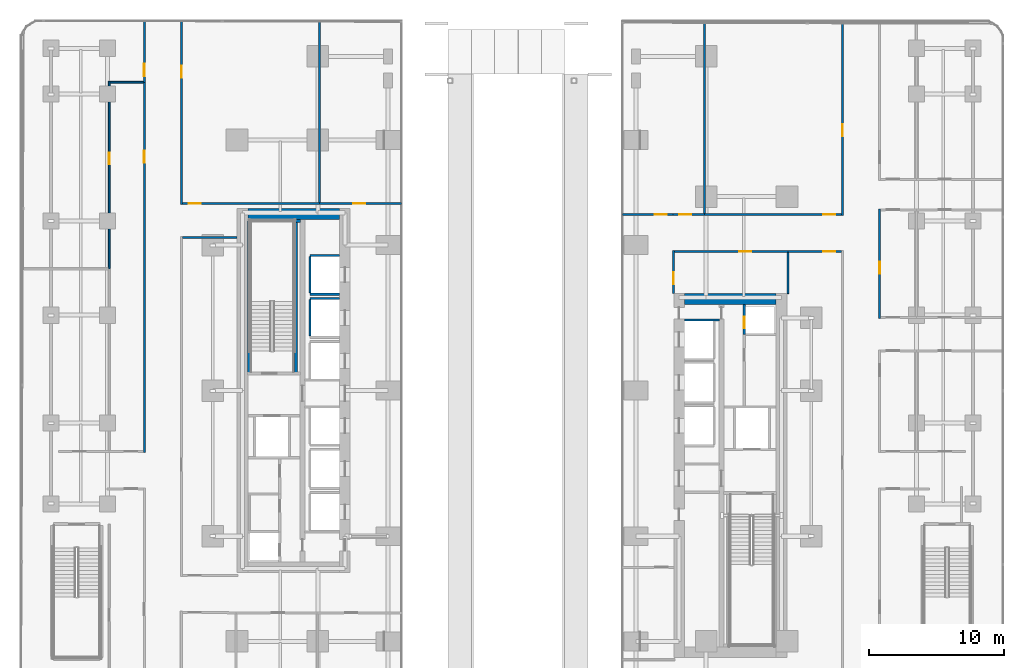
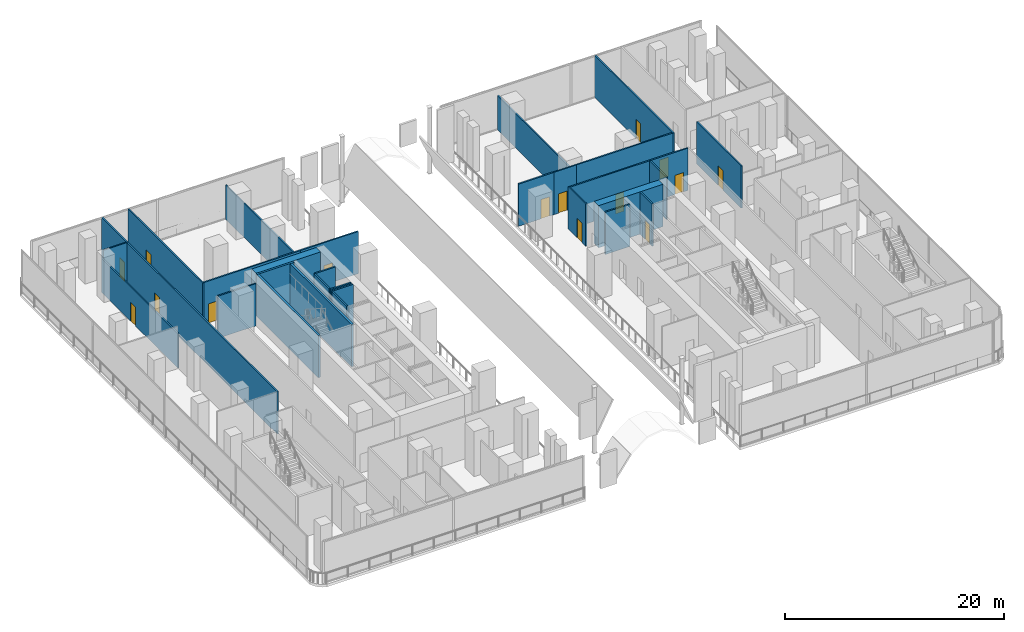
# One storey, part 11 of 31: 31 walls, 15 doors, 15 openings.
"""IFC4 building model written with IfcOpenShell, lengths in metres."""

from ifc_helpers import new_model, si_unit, direction, frame, frame_2d, origin, place, context, subcontext, project, spatial, rectangle, extrude, material, layer, layer_set, type_object, element, fill, save


model = new_model("IFC4")

# Units and contexts
model_context = context("Model", 3, precision=1e-05, world=origin(), true_north=direction((0.0, 1.0)))
body_context = subcontext(model_context, "Body", "Model", "MODEL_VIEW")
ifc_project = project(units=[si_unit("LENGTHUNIT", "METRE"), si_unit("AREAUNIT", "SQUARE_METRE"), si_unit("VOLUMEUNIT", "CUBIC_METRE"), si_unit("PLANEANGLEUNIT", "RADIAN"), si_unit("MASSUNIT", "GRAM", prefix="KILO")], contexts=[model_context])

# Site, building, storey
site_placement = place(None, origin())
site = spatial("IfcSite", under=ifc_project, at=site_placement, CompositionType="ELEMENT")
building_placement = place(site_placement, origin())
building = spatial("IfcBuilding", under=site, at=building_placement, Name="Khairoan Windgate Tower", CompositionType="ELEMENT")
storey_placement = place(building_placement, frame((0.0, 0.0, 11.0)))
storey = spatial("IfcBuildingStorey", under=building, at=storey_placement, Name="L03", CompositionType="ELEMENT", Elevation=11.0)

# Walls
ifc_material_1 = material(Name="Concrete C40/50", Category="concrete")
ifc_layer_1 = layer(ifc_material_1, 0.159912109375, Name="Concrete C40/50")
ifc_layer_set_1 = layer_set([ifc_layer_1], Name="Concrete C40/50")
wall_type_1 = type_object("IfcWallType", Name="Core and Hoistway Enclosure Wall", PredefinedType="STANDARD", material=ifc_layer_set_1)
for number, where, z_axis, x_axis, name in (
    (1, (-14.989990234375, 7.159912109375, 0.0), (0.0, 0.0, 1.0), (1.0, 0.0, 0.0), "L03 Lift PL1 Hoistway Divider S"),
    (2, (-14.989990234375, 10.0400390625, 0.0), (0.0, 0.0, 1.0), (1.0, 0.0, 0.0), "L03 Lift PL1 Hoistway Divider N"),
):
    element("IfcWall", number, at=place(storey_placement, frame(where, z_axis=z_axis, x_axis=x_axis)), inside=storey, type_object=wall_type_1, Name=name, PredefinedType="STANDARD", context=body_context, shape_type="SweptSolid", body=[
        extrude(rectangle(XDim=2.18994140625, YDim=0.159912109375, at=frame_2d((1.094970703125, 0.0))), origin(), (0.0, 0.0, 1.0), 4.699951171875),
    ])
wall_1_placement = place(storey_placement, frame((-14.989990234375, 7.25, 0.0), z_axis=(0.0, 0.0, 1.0), x_axis=(0.0, 1.0, 0.0)))
element("IfcWall", 3, at=wall_1_placement, inside=storey, type_object=wall_type_1, Name="L03 Lift PL1 Hoistway Back Wall", PredefinedType="STANDARD", context=body_context, shape_type="SweptSolid", body=[
    extrude(rectangle(XDim=2.699951171875, YDim=0.159912109375, at=frame_2d((1.35009765625, 0.0))), origin(), (0.0, 0.0, 1.0), 4.699951171875),
])
wall_2_placement = place(storey_placement, frame((-14.989990234375, 6.840087890625, 0.0), z_axis=(0.0, 0.0, 1.0), x_axis=(1.0, 0.0, 0.0)))
element("IfcWall", 4, at=wall_2_placement, inside=storey, type_object=wall_type_1, Name="L03 Lift PL2 Hoistway Divider N", PredefinedType="STANDARD", context=body_context, shape_type="SweptSolid", body=[
    extrude(rectangle(XDim=2.18994140625, YDim=0.159912109375, at=frame_2d((1.094970703125, 0.0))), origin(), (0.0, 0.0, 1.0), 4.699951171875),
])
wall_3_placement = place(storey_placement, frame((-14.989990234375, 4.050048828125, 0.0), z_axis=(0.0, 0.0, 1.0), x_axis=(0.0, 1.0, 0.0)))
element("IfcWall", 5, at=wall_3_placement, inside=storey, type_object=wall_type_1, Name="L03 Lift PL2 Hoistway Back Wall", PredefinedType="STANDARD", context=body_context, shape_type="SweptSolid", body=[
    extrude(rectangle(XDim=2.699951171875, YDim=0.159912109375, at=frame_2d((1.35009765625, 0.0))), origin(), (0.0, 0.0, 1.0), 4.699951171875),
])
wall_4_placement = place(storey_placement, frame((12.800048828125, 5.25, 0.0), z_axis=(0.0, 0.0, 1.0), x_axis=(1.0, 0.0, 0.0)))
element("IfcWall", 6, at=wall_4_placement, inside=storey, type_object=wall_type_1, Name="L03 Core Shaft Wall SW-ESV-L03", PredefinedType="STANDARD", context=body_context, shape_type="SweptSolid", body=[
    extrude(rectangle(XDim=2.599853515625, YDim=0.159912109375, at=frame_2d((1.2998046875, 0.0))), origin(), (0.0, 0.0, 1.0), 4.699951171875),
])

# Wall, opening, door
ifc_material_2 = material(Name="Acoustic Fire-Rated Gypsum Partition", Category="gypsum")
ifc_layer_2 = layer(ifc_material_2, 0.139892578125, Name="Acoustic Fire-Rated Gypsum Partition")
ifc_layer_set_2 = layer_set([ifc_layer_2], Name="Acoustic Fire-Rated Gypsum Partition")
wall_type_2 = type_object("IfcWallType", Name="Inter-Tenancy Compartment Wall", PredefinedType="PARTITIONING", material=ifc_layer_set_2)
wall_5_placement = place(storey_placement, frame((-29.8798828125, 9.0400390625, 0.0), z_axis=(0.0, 0.0, 1.0), x_axis=(0.0, 1.0, 0.0)))
wall_5 = element("IfcWall", 7, at=wall_5_placement, inside=storey, type_object=wall_type_2, Name="L03 Interior Partition 029", PredefinedType="PARTITIONING", context=body_context, shape_type="SweptSolid", body=[
    extrude(rectangle(XDim=13.909912109375, YDim=0.139892578125, at=frame_2d((6.955078125, 0.0))), origin(), (0.0, 0.0, 1.0), 3.800048828125),
])
opening_1_placement = place(wall_5_placement, frame((7.743896484375, 0.0, 0.0)))
opening_1 = element("IfcOpeningElement", 8, at=opening_1_placement, cuts=wall_5, Name="Opening FD-SRV", PredefinedType="OPENING", context=body_context, shape_type="SweptSolid", body=[
    extrude(rectangle(XDim=0.85009765625, YDim=2.10009765625, at=frame_2d((0.425048828125, 1.050048828125))), frame((0.0, 0.079833984375, 0.0), z_axis=(0.0, -1.0, 0.0), x_axis=(1.0, 0.0, 0.0)), (0.0, 0.0, 1.0), 0.159912109375),
])
ifc_material_3 = material(Name="Steel S355", Category="steel")
door_type_1 = type_object("IfcDoorType", Name="Core Service and Riser Fire Door FD-SRV 850x2100", OperationType="NOTDEFINED", PredefinedType="DOOR", material=ifc_material_3)
door_1_placement = place(opening_1_placement, origin())
door_1 = element("IfcDoor", 9, at=door_1_placement, inside=storey, type_object=door_type_1, Name="L03 L03-35-L03-55 Door", OperationType="SINGLE_SWING_LEFT", OverallHeight=2.10009765625, OverallWidth=0.85009765625, PredefinedType="DOOR", context=body_context, shape_type="SweptSolid", body=[
    extrude(rectangle(XDim=0.85009765625, YDim=2.10009765625, at=frame_2d((0.425048828125, 1.050048828125))), frame((0.0, 0.02490234375, 0.0), z_axis=(0.0, -1.0, 0.0), x_axis=(1.0, 0.0, 0.0)), (0.0, 0.0, 1.0), 0.050048828125),
])
fill(opening_1, door_1)

# Walls
wall_6_placement = place(storey_placement, frame((-14.280029296875, 13.955078125, 0.0), z_axis=(0.0, 0.0, 1.0), x_axis=(0.0, 1.0, 0.0)))
element("IfcWall", 10, at=wall_6_placement, inside=storey, type_object=wall_type_2, Name="L03 Interior Partition 030", PredefinedType="PARTITIONING", context=body_context, shape_type="SweptSolid", body=[
    extrude(rectangle(XDim=13.42529296875, YDim=0.139892578125, at=frame_2d((6.712646484375, 0.0))), origin(), (0.0, 0.0, 1.0), 3.800048828125),
])
wall_7_placement = place(storey_placement, frame((14.280029296875, 13.155029296875, 0.0), z_axis=(0.0, 0.0, 1.0), x_axis=(0.0, 1.0, 0.0)))
element("IfcWall", 11, at=wall_7_placement, inside=storey, type_object=wall_type_2, Name="L03 Interior Partition 066", PredefinedType="PARTITIONING", context=body_context, shape_type="SweptSolid", body=[
    extrude(rectangle(XDim=14.135009765625, YDim=0.139892578125, at=frame_2d((7.0673828125, 0.0))), origin(), (0.0, 0.0, 1.0), 3.800048828125),
])
wall_8_placement = place(storey_placement, frame((-29.81005859375, 22.8798828125, 0.0), z_axis=(0.0, 0.0, 1.0), x_axis=(1.0, 0.0, 0.0)))
element("IfcWall", 12, at=wall_8_placement, inside=storey, type_object=wall_type_2, Name="L03 Interior Partition 068", PredefinedType="PARTITIONING", context=body_context, shape_type="SweptSolid", body=[
    extrude(rectangle(XDim=2.455078125, YDim=0.139892578125, at=frame_2d((1.2275390625, 0.0))), origin(), (0.0, 0.0, 1.0), 4.699951171875),
])
wall_9_placement = place(storey_placement, frame((20.47509765625, 7.199951171875, 0.0), z_axis=(0.0, 0.0, 1.0), x_axis=(0.0, 1.0, 0.0)))
element("IfcWall", 13, at=wall_9_placement, inside=storey, type_object=wall_type_2, Name="L03 Interior Partition 072", PredefinedType="PARTITIONING", context=body_context, shape_type="SweptSolid", body=[
    extrude(rectangle(XDim=3.045166015625, YDim=0.139892578125, at=frame_2d((1.5224609375, 0.0))), origin(), (0.0, 0.0, 1.0), 4.699951171875),
])

# Wall, opening, door
ifc_material_4 = material(Name="Concrete C40/50", Category="concrete")
ifc_layer_3 = layer(ifc_material_4, 0.159912109375, Name="Concrete C40/50")
ifc_layer_set_3 = layer_set([ifc_layer_3], Name="Concrete C40/50")
wall_type_3 = type_object("IfcWallType", Name="Plant and Refuge Compartment Wall", PredefinedType="PARTITIONING", material=ifc_layer_set_3)
wall_10_placement = place(storey_placement, frame((17.22998046875, 4.169921875, 0.0), z_axis=(0.0, 0.0, 1.0), x_axis=(0.0, 1.0, 0.0)))
wall_10 = element("IfcWall", 14, at=wall_10_placement, inside=storey, type_object=wall_type_3, Name="L03 Interior Partition 006", PredefinedType="PARTITIONING", context=body_context, shape_type="SweptSolid", body=[
    extrude(rectangle(XDim=2.22998046875, YDim=0.159912109375, at=frame_2d((1.114990234375, 0.0))), origin(), (0.0, 0.0, 1.0), 4.699951171875),
])
opening_2_placement = place(wall_10_placement, frame((0.4599609375, 0.0, 0.0)))
opening_2 = element("IfcOpeningElement", 15, at=opening_2_placement, cuts=wall_10, Name="Opening FD-SRV", PredefinedType="OPENING", context=body_context, shape_type="SweptSolid", body=[
    extrude(rectangle(XDim=0.85009765625, YDim=2.10009765625, at=frame_2d((0.425048828125, 1.050048828125))), frame((0.0, 0.08984375, 0.0), z_axis=(0.0, -1.0, 0.0), x_axis=(1.0, 0.0, 0.0)), (0.0, 0.0, 1.0), 0.179931640625),
])
door_2_placement = place(opening_2_placement, origin())
door_2 = element("IfcDoor", 16, at=door_2_placement, inside=storey, type_object=door_type_1, Name="L03 L03-19-L03-20 Door", OperationType="SINGLE_SWING_LEFT", OverallHeight=2.10009765625, OverallWidth=0.85009765625, PredefinedType="DOOR", context=body_context, shape_type="SweptSolid", body=[
    extrude(rectangle(XDim=0.85009765625, YDim=2.10009765625, at=frame_2d((0.425048828125, 1.050048828125))), frame((0.0, 0.02490234375, 0.0), z_axis=(0.0, -1.0, 0.0), x_axis=(1.0, 0.0, 0.0)), (0.0, 0.0, 1.0), 0.050048828125),
])
fill(opening_2, door_2)

ifc_material_5 = material(Name="Acoustic Fire-Rated Gypsum Partition", Category="gypsum")
ifc_layer_4 = layer(ifc_material_5, 0.14990234375, Name="Acoustic Fire-Rated Gypsum Partition")
ifc_layer_set_4 = layer_set([ifc_layer_4], Name="Acoustic Fire-Rated Gypsum Partition")
wall_type_4 = type_object("IfcWallType", Name="Rated Corridor Partition Wall", PredefinedType="PARTITIONING", material=ifc_layer_set_4)
wall_11_placement = place(storey_placement, frame((-24.52001953125, 13.804931640625, 0.0), z_axis=(0.0, 0.0, 1.0), x_axis=(0.0, 1.0, 0.0)))
wall_11 = element("IfcWall", 17, at=wall_11_placement, inside=storey, type_object=wall_type_4, Name="L03 Interior Partition 009", PredefinedType="PARTITIONING", context=body_context, shape_type="SweptSolid", body=[
    extrude(rectangle(XDim=13.607666015625, YDim=0.14990234375, at=frame_2d((6.8037109375, 0.0))), origin(), (0.0, 0.0, 1.0), 4.699951171875),
])
opening_3_placement = place(wall_11_placement, frame((9.40234375, 0.0, 0.0)))
opening_3 = element("IfcOpeningElement", 18, at=opening_3_placement, cuts=wall_11, Name="Opening FD-ENT", PredefinedType="OPENING", context=body_context, shape_type="SweptSolid", body=[
    extrude(rectangle(XDim=0.89990234375, YDim=2.14990234375, at=frame_2d((0.449951171875, 1.074951171875))), frame((0.0, 0.0849609375, 0.0), z_axis=(0.0, -1.0, 0.0), x_axis=(1.0, 0.0, 0.0)), (0.0, 0.0, 1.0), 0.169921875),
])
ifc_material_6 = material(Name="Timber Fire-Rated Core", Category="wood")
door_type_2 = type_object("IfcDoorType", Name="Unit and Office Fire Entrance Door FD-ENT 900x2150", OperationType="NOTDEFINED", PredefinedType="DOOR", material=ifc_material_6)
door_3_placement = place(opening_3_placement, origin())
door_3 = element("IfcDoor", 19, at=door_3_placement, inside=storey, type_object=door_type_2, Name="L03 L03-29-L03-36 Door", OperationType="SINGLE_SWING_LEFT", OverallHeight=2.14990234375, OverallWidth=0.89990234375, PredefinedType="DOOR", context=body_context, shape_type="SweptSolid", body=[
    extrude(rectangle(XDim=0.89990234375, YDim=2.14990234375, at=frame_2d((0.449951171875, 1.074951171875))), frame((0.0, 0.02490234375, 0.0), z_axis=(0.0, -1.0, 0.0), x_axis=(1.0, 0.0, 0.0)), (0.0, 0.0, 1.0), 0.050048828125),
])
fill(opening_3, door_3)

wall_12_placement = place(storey_placement, frame((-27.280029296875, -4.576171875, 0.0), z_axis=(0.0, 0.0, 1.0), x_axis=(0.0, 1.0, 0.0)))
wall_12 = element("IfcWall", 20, at=wall_12_placement, inside=storey, type_object=wall_type_4, Name="L03 Interior Partition 014", PredefinedType="PARTITIONING", context=body_context, shape_type="SweptSolid", body=[
    extrude(rectangle(XDim=27.4560546875, YDim=0.14990234375, at=frame_2d((13.72802734375, 0.0))), origin(), (0.0, 0.0, 1.0), 4.699951171875),
])
opening_4_placement = place(wall_12_placement, frame((21.48974609375, 0.0, 0.0)))
opening_4 = element("IfcOpeningElement", 21, at=opening_4_placement, cuts=wall_12, Name="Opening FD-ENT", PredefinedType="OPENING", context=body_context, shape_type="SweptSolid", body=[
    extrude(rectangle(XDim=0.89990234375, YDim=2.14990234375, at=frame_2d((0.449951171875, 1.074951171875))), frame((0.0, 0.0849609375, 0.0), z_axis=(0.0, -1.0, 0.0), x_axis=(1.0, 0.0, 0.0)), (0.0, 0.0, 1.0), 0.169921875),
])
door_4_placement = place(opening_4_placement, origin())
door_4 = element("IfcDoor", 22, at=door_4_placement, inside=storey, type_object=door_type_2, Name="L03 L03-29-L03-55 Door", OperationType="SINGLE_SWING_RIGHT", OverallHeight=2.14990234375, OverallWidth=0.89990234375, PredefinedType="DOOR", context=body_context, shape_type="SweptSolid", body=[
    extrude(rectangle(XDim=0.89990234375, YDim=2.14990234375, at=frame_2d((0.449951171875, 1.074951171875))), frame((0.0, 0.02490234375, 0.0), z_axis=(0.0, -1.0, 0.0), x_axis=(1.0, 0.0, 0.0)), (0.0, 0.0, 1.0), 0.050048828125),
])
fill(opening_4, door_4)

wall_13_placement = place(storey_placement, frame((-27.280029296875, 22.8798828125, 0.0), z_axis=(0.0, 0.0, 1.0), x_axis=(0.0, 1.0, 0.0)))
wall_13 = element("IfcWall", 23, at=wall_13_placement, inside=storey, type_object=wall_type_4, Name="L03 Interior Partition 016", PredefinedType="PARTITIONING", context=body_context, shape_type="SweptSolid", body=[
    extrude(rectangle(XDim=4.54150390625, YDim=0.14990234375, at=frame_2d((2.270751953125, 0.0))), origin(), (0.0, 0.0, 1.0), 4.699951171875),
])
opening_5_placement = place(wall_13_placement, frame((0.4599609375, 0.0, 0.0)))
opening_5 = element("IfcOpeningElement", 24, at=opening_5_placement, cuts=wall_13, Name="Opening FD-ENT", PredefinedType="OPENING", context=body_context, shape_type="SweptSolid", body=[
    extrude(rectangle(XDim=0.89990234375, YDim=2.14990234375, at=frame_2d((0.449951171875, 1.074951171875))), frame((0.0, 0.0849609375, 0.0), z_axis=(0.0, -1.0, 0.0), x_axis=(1.0, 0.0, 0.0)), (0.0, 0.0, 1.0), 0.169921875),
])
door_5_placement = place(opening_5_placement, origin())
door_5 = element("IfcDoor", 25, at=door_5_placement, inside=storey, type_object=door_type_2, Name="L03 L03-29-L03-66 Door", OperationType="SINGLE_SWING_RIGHT", OverallHeight=2.14990234375, OverallWidth=0.89990234375, PredefinedType="DOOR", context=body_context, shape_type="SweptSolid", body=[
    extrude(rectangle(XDim=0.89990234375, YDim=2.14990234375, at=frame_2d((0.449951171875, 1.074951171875))), frame((0.0, 0.02490234375, 0.0), z_axis=(0.0, -1.0, 0.0), x_axis=(1.0, 0.0, 0.0)), (0.0, 0.0, 1.0), 0.050048828125),
])
fill(opening_5, door_5)

wall_14_placement = place(storey_placement, frame((-24.445068359375, 13.8798828125, 0.0), z_axis=(0.0, 0.0, 1.0), x_axis=(1.0, 0.0, 0.0)))
wall_14 = element("IfcWall", 26, at=wall_14_placement, inside=storey, type_object=wall_type_4, Name="L03 Interior Partition 021", PredefinedType="PARTITIONING", context=body_context, shape_type="SweptSolid", body=[
    extrude(rectangle(XDim=10.1650390625, YDim=0.14990234375, at=frame_2d((5.08251953125, 0.0))), origin(), (0.0, 0.0, 1.0), 4.699951171875),
])
opening_6_placement = place(wall_14_placement, frame((0.4599609375, 0.0, 0.0)))
opening_6 = element("IfcOpeningElement", 27, at=opening_6_placement, cuts=wall_14, Name="Opening FD-ENT", PredefinedType="OPENING", context=body_context, shape_type="SweptSolid", body=[
    extrude(rectangle(XDim=0.89990234375, YDim=2.14990234375, at=frame_2d((0.449951171875, 1.074951171875))), frame((0.0, 0.0849609375, 0.0), z_axis=(0.0, -1.0, 0.0), x_axis=(1.0, 0.0, 0.0)), (0.0, 0.0, 1.0), 0.169921875),
])
door_6_placement = place(opening_6_placement, origin())
door_6 = element("IfcDoor", 28, at=door_6_placement, inside=storey, type_object=door_type_2, Name="L03 L03-31-L03-36 Door", OperationType="SINGLE_SWING_LEFT", OverallHeight=2.14990234375, OverallWidth=0.89990234375, PredefinedType="DOOR", context=body_context, shape_type="SweptSolid", body=[
    extrude(rectangle(XDim=0.89990234375, YDim=2.14990234375, at=frame_2d((0.449951171875, 1.074951171875))), frame((0.0, 0.02490234375, 0.0), z_axis=(0.0, -1.0, 0.0), x_axis=(1.0, 0.0, 0.0)), (0.0, 0.0, 1.0), 0.050048828125),
])
fill(opening_6, door_6)

# Wall
wall_15_placement = place(storey_placement, frame((-24.445068359375, 11.360107421875, 0.0), z_axis=(0.0, 0.0, 1.0), x_axis=(1.0, 0.0, 0.0)))
element("IfcWall", 29, at=wall_15_placement, inside=storey, type_object=wall_type_4, Name="L03 Interior Partition 022", PredefinedType="PARTITIONING", context=body_context, shape_type="SweptSolid", body=[
    extrude(rectangle(XDim=4.045166015625, YDim=0.14990234375, at=frame_2d((2.0224609375, 0.0))), origin(), (0.0, 0.0, 1.0), 4.699951171875),
])

# Wall, opening, door
wall_16_placement = place(storey_placement, frame((-14.280029296875, 13.8798828125, 0.0), z_axis=(0.0, 0.0, 1.0), x_axis=(1.0, 0.0, 0.0)))
wall_16 = element("IfcWall", 30, at=wall_16_placement, inside=storey, type_object=wall_type_4, Name="L03 Interior Partition 023", PredefinedType="PARTITIONING", context=body_context, shape_type="SweptSolid", body=[
    extrude(rectangle(XDim=6.074951171875, YDim=0.14990234375, at=frame_2d((3.03759765625, 0.0))), origin(), (0.0, 0.0, 1.0), 4.699951171875),
])
opening_7_placement = place(wall_16_placement, frame((2.486083984375, 0.0, 0.0)))
opening_7 = element("IfcOpeningElement", 31, at=opening_7_placement, cuts=wall_16, Name="Opening FD-ENT", PredefinedType="OPENING", context=body_context, shape_type="SweptSolid", body=[
    extrude(rectangle(XDim=0.89990234375, YDim=2.14990234375, at=frame_2d((0.449951171875, 1.074951171875))), frame((0.0, 0.0849609375, 0.0), z_axis=(0.0, -1.0, 0.0), x_axis=(1.0, 0.0, 0.0)), (0.0, 0.0, 1.0), 0.169921875),
])
door_7_placement = place(opening_7_placement, origin())
door_7 = element("IfcDoor", 32, at=door_7_placement, inside=storey, type_object=door_type_2, Name="L03 L03-31-L03-68 Door", OperationType="SINGLE_SWING_LEFT", OverallHeight=2.14990234375, OverallWidth=0.89990234375, PredefinedType="DOOR", context=body_context, shape_type="SweptSolid", body=[
    extrude(rectangle(XDim=0.89990234375, YDim=2.14990234375, at=frame_2d((0.449951171875, 1.074951171875))), frame((0.0, 0.02490234375, 0.0), z_axis=(0.0, -1.0, 0.0), x_axis=(1.0, 0.0, 0.0)), (0.0, 0.0, 1.0), 0.050048828125),
])
fill(opening_7, door_7)

wall_17_placement = place(storey_placement, frame((11.989990234375, 7.199951171875, 0.0), z_axis=(0.0, 0.0, 1.0), x_axis=(0.0, 1.0, 0.0)))
wall_17 = element("IfcWall", 33, at=wall_17_placement, inside=storey, type_object=wall_type_4, Name="L03 Interior Partition 035", PredefinedType="PARTITIONING", context=body_context, shape_type="SweptSolid", body=[
    extrude(rectangle(XDim=3.195068359375, YDim=0.14990234375, at=frame_2d((1.59765625, 0.0))), origin(), (0.0, 0.0, 1.0), 4.699951171875),
])
opening_8_placement = place(wall_17_placement, frame((0.689208984375, 0.0, 0.0)))
opening_8 = element("IfcOpeningElement", 34, at=opening_8_placement, cuts=wall_17, Name="Opening FD-ENT", PredefinedType="OPENING", context=body_context, shape_type="SweptSolid", body=[
    extrude(rectangle(XDim=0.89990234375, YDim=2.14990234375, at=frame_2d((0.449951171875, 1.074951171875))), frame((0.0, 0.0849609375, 0.0), z_axis=(0.0, -1.0, 0.0), x_axis=(1.0, 0.0, 0.0)), (0.0, 0.0, 1.0), 0.169921875),
])
door_8_placement = place(opening_8_placement, origin())
door_8 = element("IfcDoor", 35, at=door_8_placement, inside=storey, type_object=door_type_2, Name="L03 L03-39-L03-63 Door", OperationType="SINGLE_SWING_LEFT", OverallHeight=2.14990234375, OverallWidth=0.89990234375, PredefinedType="DOOR", context=body_context, shape_type="SweptSolid", body=[
    extrude(rectangle(XDim=0.89990234375, YDim=2.14990234375, at=frame_2d((0.449951171875, 1.074951171875))), frame((0.0, 0.02490234375, 0.0), z_axis=(0.0, -1.0, 0.0), x_axis=(1.0, 0.0, 0.0)), (0.0, 0.0, 1.0), 0.050048828125),
])
fill(opening_8, door_8)

wall_18_placement = place(storey_placement, frame((8.205078125, 13.080078125, 0.0), z_axis=(0.0, 0.0, 1.0), x_axis=(1.0, 0.0, 0.0)))
wall_18 = element("IfcWall", 36, at=wall_18_placement, inside=storey, type_object=wall_type_4, Name="L03 Interior Partition 036", PredefinedType="PARTITIONING", context=body_context, shape_type="SweptSolid", body=[
    extrude(rectangle(XDim=3.73486328125, YDim=0.14990234375, at=frame_2d((1.867431640625, 0.0))), origin(), (0.0, 0.0, 1.0), 4.699951171875),
])
opening_9_placement = place(wall_18_placement, frame((2.375, 0.0, 0.0)))
opening_9 = element("IfcOpeningElement", 37, at=opening_9_placement, cuts=wall_18, Name="Opening FD-ENT", PredefinedType="OPENING", context=body_context, shape_type="SweptSolid", body=[
    extrude(rectangle(XDim=0.89990234375, YDim=2.14990234375, at=frame_2d((0.449951171875, 1.074951171875))), frame((0.0, 0.0849609375, 0.0), z_axis=(0.0, -1.0, 0.0), x_axis=(1.0, 0.0, 0.0)), (0.0, 0.0, 1.0), 0.169921875),
])
door_9_placement = place(opening_9_placement, origin())
door_9 = element("IfcDoor", 38, at=door_9_placement, inside=storey, type_object=door_type_2, Name="L03 L03-39-L03-69 Door", OperationType="SINGLE_SWING_RIGHT", OverallHeight=2.14990234375, OverallWidth=0.89990234375, PredefinedType="DOOR", context=body_context, shape_type="SweptSolid", body=[
    extrude(rectangle(XDim=0.89990234375, YDim=2.14990234375, at=frame_2d((0.449951171875, 1.074951171875))), frame((0.0, 0.02490234375, 0.0), z_axis=(0.0, -1.0, 0.0), x_axis=(1.0, 0.0, 0.0)), (0.0, 0.0, 1.0), 0.050048828125),
])
fill(opening_9, door_9)

wall_19_placement = place(storey_placement, frame((27.280029296875, 5.364990234375, 0.0), z_axis=(0.0, 0.0, 1.0), x_axis=(0.0, 1.0, 0.0)))
wall_19 = element("IfcWall", 39, at=wall_19_placement, inside=storey, type_object=wall_type_4, Name="L03 Interior Partition 039", PredefinedType="PARTITIONING", context=body_context, shape_type="SweptSolid", body=[
    extrude(rectangle(XDim=8.130126953125, YDim=0.14990234375, at=frame_2d((4.06494140625, 0.0))), origin(), (0.0, 0.0, 1.0), 4.699951171875),
])
opening_10_placement = place(wall_19_placement, frame((3.309814453125, 0.0, 0.0)))
opening_10 = element("IfcOpeningElement", 40, at=opening_10_placement, cuts=wall_19, Name="Opening FD-ENT", PredefinedType="OPENING", context=body_context, shape_type="SweptSolid", body=[
    extrude(rectangle(XDim=0.89990234375, YDim=2.14990234375, at=frame_2d((0.449951171875, 1.074951171875))), frame((0.0, 0.0849609375, 0.0), z_axis=(0.0, -1.0, 0.0), x_axis=(1.0, 0.0, 0.0)), (0.0, 0.0, 1.0), 0.169921875),
])
door_10_placement = place(opening_10_placement, origin())
door_10 = element("IfcDoor", 41, at=door_10_placement, inside=storey, type_object=door_type_2, Name="L03 L03-40-L03-48 Door", OperationType="SINGLE_SWING_LEFT", OverallHeight=2.14990234375, OverallWidth=0.89990234375, PredefinedType="DOOR", context=body_context, shape_type="SweptSolid", body=[
    extrude(rectangle(XDim=0.89990234375, YDim=2.14990234375, at=frame_2d((0.449951171875, 1.074951171875))), frame((0.0, 0.02490234375, 0.0), z_axis=(0.0, -1.0, 0.0), x_axis=(1.0, 0.0, 0.0)), (0.0, 0.0, 1.0), 0.050048828125),
])
fill(opening_10, door_10)

wall_20_placement = place(storey_placement, frame((24.52001953125, 13.0048828125, 0.0), z_axis=(0.0, 0.0, 1.0), x_axis=(0.0, 1.0, 0.0)))
wall_20 = element("IfcWall", 42, at=wall_20_placement, inside=storey, type_object=wall_type_4, Name="L03 Interior Partition 040", PredefinedType="PARTITIONING", context=body_context, shape_type="SweptSolid", body=[
    extrude(rectangle(XDim=14.2529296875, YDim=0.14990234375, at=frame_2d((7.12646484375, 0.0))), origin(), (0.0, 0.0, 1.0), 4.699951171875),
])
opening_11_placement = place(wall_20_placement, frame((5.874267578125, 0.0, 0.0)))
opening_11 = element("IfcOpeningElement", 43, at=opening_11_placement, cuts=wall_20, Name="Opening FD-ENT", PredefinedType="OPENING", context=body_context, shape_type="SweptSolid", body=[
    extrude(rectangle(XDim=0.89990234375, YDim=2.14990234375, at=frame_2d((0.449951171875, 1.074951171875))), frame((0.0, 0.0849609375, 0.0), z_axis=(0.0, -1.0, 0.0), x_axis=(1.0, 0.0, 0.0)), (0.0, 0.0, 1.0), 0.169921875),
])
door_11_placement = place(opening_11_placement, origin())
door_11 = element("IfcDoor", 44, at=door_11_placement, inside=storey, type_object=door_type_2, Name="L03 L03-40-L03-51 Door", OperationType="SINGLE_SWING_RIGHT", OverallHeight=2.14990234375, OverallWidth=0.89990234375, PredefinedType="DOOR", context=body_context, shape_type="SweptSolid", body=[
    extrude(rectangle(XDim=0.89990234375, YDim=2.14990234375, at=frame_2d((0.449951171875, 1.074951171875))), frame((0.0, 0.02490234375, 0.0), z_axis=(0.0, -1.0, 0.0), x_axis=(1.0, 0.0, 0.0)), (0.0, 0.0, 1.0), 0.050048828125),
])
fill(opening_11, door_11)

wall_21_placement = place(storey_placement, frame((14.280029296875, 13.080078125, 0.0), z_axis=(0.0, 0.0, 1.0), x_axis=(1.0, 0.0, 0.0)))
wall_21 = element("IfcWall", 45, at=wall_21_placement, inside=storey, type_object=wall_type_4, Name="L03 Interior Partition 055", PredefinedType="PARTITIONING", context=body_context, shape_type="SweptSolid", body=[
    extrude(rectangle(XDim=10.1650390625, YDim=0.14990234375, at=frame_2d((5.08251953125, 0.0))), origin(), (0.0, 0.0, 1.0), 4.699951171875),
])
opening_12_placement = place(wall_21_placement, frame((8.804931640625, 0.0, 0.0)))
opening_12 = element("IfcOpeningElement", 46, at=opening_12_placement, cuts=wall_21, Name="Opening FD-ENT", PredefinedType="OPENING", context=body_context, shape_type="SweptSolid", body=[
    extrude(rectangle(XDim=0.89990234375, YDim=2.14990234375, at=frame_2d((0.449951171875, 1.074951171875))), frame((0.0, 0.0849609375, 0.0), z_axis=(0.0, -1.0, 0.0), x_axis=(1.0, 0.0, 0.0)), (0.0, 0.0, 1.0), 0.169921875),
])
door_12_placement = place(opening_12_placement, origin())
door_12 = element("IfcDoor", 47, at=door_12_placement, inside=storey, type_object=door_type_2, Name="L03 L03-43-L03-51 Door", OperationType="SINGLE_SWING_LEFT", OverallHeight=2.14990234375, OverallWidth=0.89990234375, PredefinedType="DOOR", context=body_context, shape_type="SweptSolid", body=[
    extrude(rectangle(XDim=0.89990234375, YDim=2.14990234375, at=frame_2d((0.449951171875, 1.074951171875))), frame((0.0, 0.02490234375, 0.0), z_axis=(0.0, -1.0, 0.0), x_axis=(1.0, 0.0, 0.0)), (0.0, 0.0, 1.0), 0.050048828125),
])
fill(opening_12, door_12)

wall_22_placement = place(storey_placement, frame((20.47509765625, 10.320068359375, 0.0), z_axis=(0.0, 0.0, 1.0), x_axis=(1.0, 0.0, 0.0)))
wall_22 = element("IfcWall", 48, at=wall_22_placement, inside=storey, type_object=wall_type_4, Name="L03 Interior Partition 056", PredefinedType="PARTITIONING", context=body_context, shape_type="SweptSolid", body=[
    extrude(rectangle(XDim=3.969970703125, YDim=0.14990234375, at=frame_2d((1.98486328125, 0.0))), origin(), (0.0, 0.0, 1.0), 4.699951171875),
])
opening_13_placement = place(wall_22_placement, frame((2.610107421875, 0.0, 0.0)))
opening_13 = element("IfcOpeningElement", 49, at=opening_13_placement, cuts=wall_22, Name="Opening FD-ENT", PredefinedType="OPENING", context=body_context, shape_type="SweptSolid", body=[
    extrude(rectangle(XDim=0.89990234375, YDim=2.14990234375, at=frame_2d((0.449951171875, 1.074951171875))), frame((0.0, 0.0849609375, 0.0), z_axis=(0.0, -1.0, 0.0), x_axis=(1.0, 0.0, 0.0)), (0.0, 0.0, 1.0), 0.169921875),
])
door_13_placement = place(opening_13_placement, origin())
door_13 = element("IfcDoor", 50, at=door_13_placement, inside=storey, type_object=door_type_2, Name="L03 L03-43-L03-60 Door", OperationType="SINGLE_SWING_RIGHT", OverallHeight=2.14990234375, OverallWidth=0.89990234375, PredefinedType="DOOR", context=body_context, shape_type="SweptSolid", body=[
    extrude(rectangle(XDim=0.89990234375, YDim=2.14990234375, at=frame_2d((0.449951171875, 1.074951171875))), frame((0.0, 0.02490234375, 0.0), z_axis=(0.0, -1.0, 0.0), x_axis=(1.0, 0.0, 0.0)), (0.0, 0.0, 1.0), 0.050048828125),
])
fill(opening_13, door_13)

wall_23_placement = place(storey_placement, frame((12.06494140625, 10.320068359375, 0.0), z_axis=(0.0, 0.0, 1.0), x_axis=(1.0, 0.0, 0.0)))
wall_23 = element("IfcWall", 51, at=wall_23_placement, inside=storey, type_object=wall_type_4, Name="L03 Interior Partition 057", PredefinedType="PARTITIONING", context=body_context, shape_type="SweptSolid", body=[
    extrude(rectangle(XDim=8.41015625, YDim=0.14990234375, at=frame_2d((4.205078125, 0.0))), origin(), (0.0, 0.0, 1.0), 4.699951171875),
])
opening_14_placement = place(wall_23_placement, frame((4.78466796875, 0.0, 0.0)))
opening_14 = element("IfcOpeningElement", 52, at=opening_14_placement, cuts=wall_23, Name="Opening FD-ENT", PredefinedType="OPENING", context=body_context, shape_type="SweptSolid", body=[
    extrude(rectangle(XDim=0.89990234375, YDim=2.14990234375, at=frame_2d((0.449951171875, 1.074951171875))), frame((0.0, 0.0849609375, 0.0), z_axis=(0.0, -1.0, 0.0), x_axis=(1.0, 0.0, 0.0)), (0.0, 0.0, 1.0), 0.169921875),
])
door_14_placement = place(opening_14_placement, origin())
door_14 = element("IfcDoor", 53, at=door_14_placement, inside=storey, type_object=door_type_2, Name="L03 L03-43-L03-63 Door", OperationType="SINGLE_SWING_LEFT", OverallHeight=2.14990234375, OverallWidth=0.89990234375, PredefinedType="DOOR", context=body_context, shape_type="SweptSolid", body=[
    extrude(rectangle(XDim=0.89990234375, YDim=2.14990234375, at=frame_2d((0.449951171875, 1.074951171875))), frame((0.0, 0.02490234375, 0.0), z_axis=(0.0, -1.0, 0.0), x_axis=(1.0, 0.0, 0.0)), (0.0, 0.0, 1.0), 0.050048828125),
])
fill(opening_14, door_14)

wall_24_placement = place(storey_placement, frame((11.93994140625, 13.080078125, 0.0), z_axis=(0.0, 0.0, 1.0), x_axis=(1.0, 0.0, 0.0)))
wall_24 = element("IfcWall", 54, at=wall_24_placement, inside=storey, type_object=wall_type_4, Name="L03 Interior Partition 058", PredefinedType="PARTITIONING", context=body_context, shape_type="SweptSolid", body=[
    extrude(rectangle(XDim=2.340087890625, YDim=0.14990234375, at=frame_2d((1.169921875, 0.0))), origin(), (0.0, 0.0, 1.0), 4.699951171875),
])
opening_15_placement = place(wall_24_placement, frame((0.4599609375, 0.0, 0.0)))
opening_15 = element("IfcOpeningElement", 55, at=opening_15_placement, cuts=wall_24, Name="Opening FD-ENT", PredefinedType="OPENING", context=body_context, shape_type="SweptSolid", body=[
    extrude(rectangle(XDim=0.89990234375, YDim=2.14990234375, at=frame_2d((0.449951171875, 1.074951171875))), frame((0.0, 0.0849609375, 0.0), z_axis=(0.0, -1.0, 0.0), x_axis=(1.0, 0.0, 0.0)), (0.0, 0.0, 1.0), 0.169921875),
])
door_15_placement = place(opening_15_placement, origin())
door_15 = element("IfcDoor", 56, at=door_15_placement, inside=storey, type_object=door_type_2, Name="L03 L03-43-L03-69 Door", OperationType="SINGLE_SWING_RIGHT", OverallHeight=2.14990234375, OverallWidth=0.89990234375, PredefinedType="DOOR", context=body_context, shape_type="SweptSolid", body=[
    extrude(rectangle(XDim=0.89990234375, YDim=2.14990234375, at=frame_2d((0.449951171875, 1.074951171875))), frame((0.0, 0.02490234375, 0.0), z_axis=(0.0, -1.0, 0.0), x_axis=(1.0, 0.0, 0.0)), (0.0, 0.0, 1.0), 0.050048828125),
])
fill(opening_15, door_15)

# Walls
ifc_material_7 = material(Name="Concrete C70/85", Category="concrete")
ifc_layer_5 = layer(ifc_material_7, 0.800048828125, Name="Concrete C70/85")
ifc_layer_set_5 = layer_set([ifc_layer_5], Name="Concrete C70/85")
wall_type_5 = type_object("IfcWallType", Name="Shear Wall CW-E1 800mm", PredefinedType="SHEAR", material=ifc_layer_set_5)
wall_25_placement = place(storey_placement, frame((12.800048828125, 6.800048828125, 0.0), z_axis=(0.0, 0.0, 1.0), x_axis=(1.0, 0.0, 0.0)))
element("IfcWall", 57, at=wall_25_placement, inside=storey, type_object=wall_type_5, Name="E Core North Shear Wall L03", PredefinedType="SHEAR", context=body_context, shape_type="SweptSolid", body=[
    extrude(rectangle(XDim=6.800048828125, YDim=0.800048828125, at=frame_2d((3.39990234375, 0.0))), origin(), (0.0, 0.0, 1.0), 4.699951171875),
])
ifc_material_8 = material(Name="Concrete C70/85", Category="concrete")
ifc_layer_6 = layer(ifc_material_8, 0.800048828125, Name="Concrete C70/85")
ifc_layer_set_6 = layer_set([ifc_layer_6], Name="Concrete C70/85")
wall_type_6 = type_object("IfcWallType", Name="Shear Wall CW-W1 800mm", PredefinedType="SHEAR", material=ifc_layer_set_6)
wall_26_placement = place(storey_placement, frame((-19.60009765625, 13.10009765625, 0.0), z_axis=(0.0, 0.0, 1.0), x_axis=(1.0, 0.0, 0.0)))
element("IfcWall", 58, at=wall_26_placement, inside=storey, type_object=wall_type_6, Name="W Core North Shear Wall L03", PredefinedType="SHEAR", context=body_context, shape_type="SweptSolid", body=[
    extrude(rectangle(XDim=6.800048828125, YDim=0.800048828125, at=frame_2d((3.39990234375, 0.0))), origin(), (0.0, 0.0, 1.0), 4.699951171875),
])
ifc_material_9 = material(Name="Concrete C50/60", Category="concrete")
ifc_layer_7 = layer(ifc_material_9, 0.219970703125, Name="Concrete C50/60")
ifc_layer_set_7 = layer_set([ifc_layer_7], Name="Concrete C50/60")
wall_type_7 = type_object("IfcWallType", Name="Shear Wall SW-ST 220mm", PredefinedType="SHEAR", material=ifc_layer_set_7)
for number, where, z_axis, x_axis, name in (
    (59, (-16.0400390625, 1.2900390625, 0.0), (0.0, 0.0, 1.0), (0.0, 1.0, 0.0), "L03 Stair ST2 East Bearing Wall"),
    (60, (-19.530029296875, 1.2900390625, 0.0), (0.0, 0.0, 1.0), (0.0, 1.0, 0.0), "L03 Stair ST2 West Bearing Wall"),
):
    element("IfcWall", number, at=place(storey_placement, frame(where, z_axis=z_axis, x_axis=x_axis)), inside=storey, type_object=wall_type_7, Name=name, PredefinedType="SHEAR", context=body_context, shape_type="SweptSolid", body=[
        extrude(rectangle(XDim=11.300048828125, YDim=0.219970703125, at=frame_2d((5.64990234375, 0.0))), origin(), (0.0, 0.0, 1.0), 4.699951171875),
    ])
wall_27_placement = place(storey_placement, frame((-19.6201171875, 12.590087890625, 0.0), z_axis=(0.0, 0.0, 1.0), x_axis=(1.0, 0.0, 0.0)))
element("IfcWall", 61, at=wall_27_placement, inside=storey, type_object=wall_type_7, Name="L03 Stair ST2 North Bearing Wall", PredefinedType="SHEAR", context=body_context, shape_type="SweptSolid", body=[
    extrude(rectangle(XDim=3.9150390625, YDim=0.219970703125, at=frame_2d((1.95751953125, 0.0))), origin(), (0.0, 0.0, 1.0), 4.699951171875),
])

save(model, "model.ifc")
